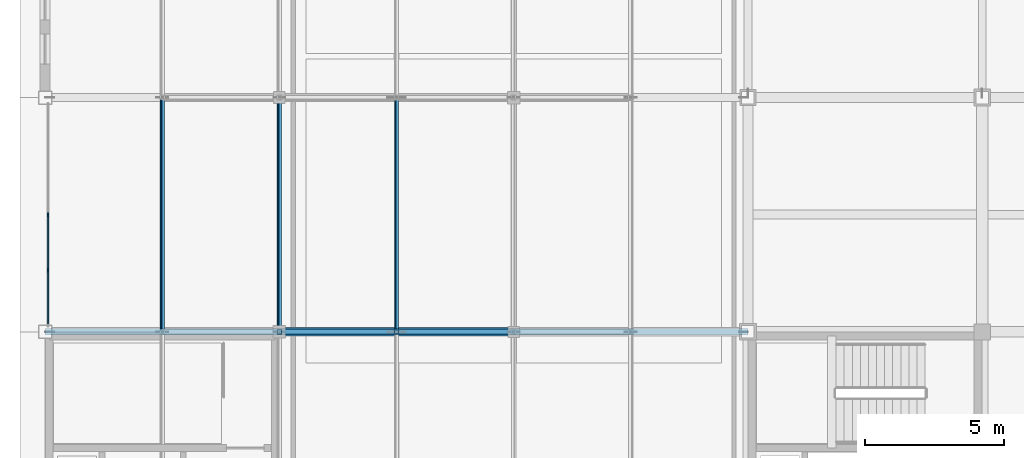
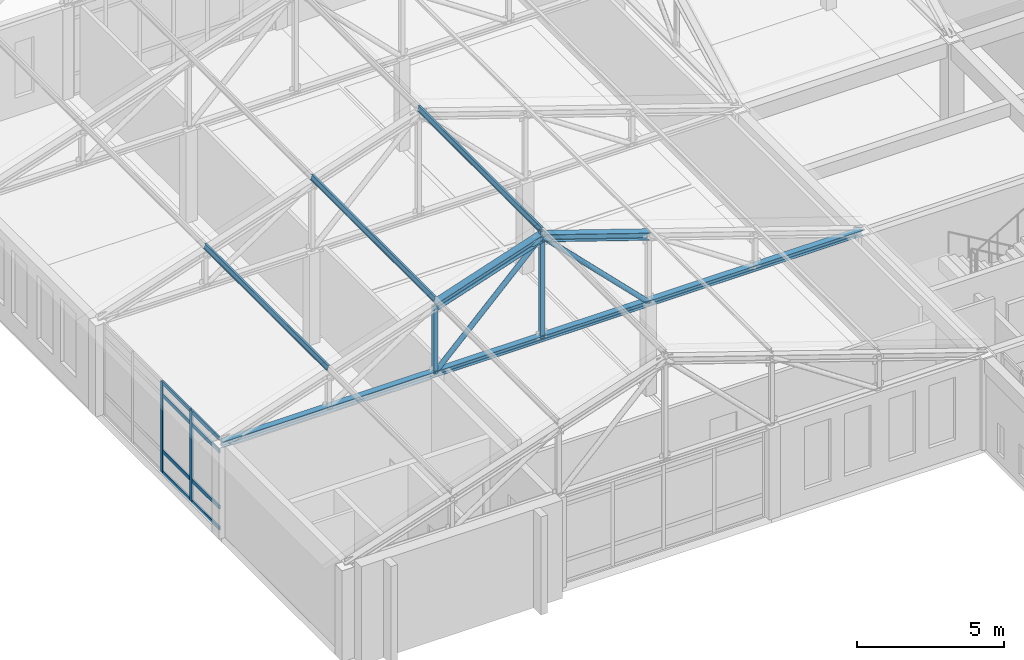
# One storey, part 12 of 56: 20 members, 1 element without a shape of its own.
"""IFC4 building model written with IfcOpenShell, lengths in metres."""

import ifcopenshell
import ifcopenshell.guid

model = None  # the IFC model being written
_history = None  # IfcOwnerHistory: only IFC2X3 demands one
_inside = {}  # id of a spatial element -> (the spatial element, [elements in it])
_under = {}  # id of a project, library or spatial element -> (it, [spatial elements below it])
_declared = {}  # id of a project -> (the project, [libraries it declares])
_typed = {}  # id of a type object -> (the type object, [elements of that type])
_made_of = {}  # id of a material, layer set ... -> (it, [elements and type objects made of it])


def new_model(schema):
    """Start an empty IFC model of exactly this schema.

    Asked for "IFC4X3", IfcOpenShell would pick the latest addendum, in which some entities
    have other attributes; the version numbers below select the first issue.
    IFC2X3 requires an IfcOwnerHistory on every rooted entity: one is made here for all.
    """
    global model, _history
    if schema == "IFC4X3":
        model = ifcopenshell.file(schema_version=(4, 3, 0, 0))
    else:
        model = ifcopenshell.file(schema=schema)
    _inside.clear()
    _under.clear()
    _declared.clear()
    _typed.clear()
    _made_of.clear()
    _history = None
    if model.schema == "IFC2X3":
        org = make("IfcOrganization", Name="unknown")
        user = make(
            "IfcPersonAndOrganization",
            ThePerson=make("IfcPerson", FamilyName="unknown"),
            TheOrganization=org,
        )
        app = make(
            "IfcApplication",
            ApplicationDeveloper=org,
            Version="unknown",
            ApplicationFullName="unknown",
            ApplicationIdentifier="unknown",
        )
        _history = make(
            "IfcOwnerHistory",
            OwningUser=user,
            OwningApplication=app,
            ChangeAction="ADDED",
            CreationDate=0,
        )
    return model


def make(cls, **values):
    """One entity of the class cls with the attributes given. An attribute that is None is left unset."""
    return model.create_entity(
        cls, **{name: value for name, value in values.items() if value is not None}
    )


def rooted(cls, **values):
    """An entity with a GlobalId (a new one), such as an element, a storey or a relation."""
    return make(cls, GlobalId=ifcopenshell.guid.new(), OwnerHistory=_history, **values)


def si_unit(unit_type, name, prefix=None):
    """IfcSIUnit, for example si_unit("LENGTHUNIT", "METRE", prefix="MILLI")."""
    return make("IfcSIUnit", UnitType=unit_type, Prefix=prefix, Name=name)


def assignment(units):
    """IfcUnitAssignment: the units of a project."""
    return None if units is None else make("IfcUnitAssignment", Units=units)


def point(xyz):
    """IfcCartesianPoint."""
    return None if xyz is None else make("IfcCartesianPoint", Coordinates=xyz)


def direction(xyz):
    """IfcDirection."""
    return None if xyz is None else make("IfcDirection", DirectionRatios=xyz)


def frame(location, z_axis=None, x_axis=None):
    """IfcAxis2Placement3D, a coordinate frame: its origin and axes. An axis left out is left unset."""
    return make(
        "IfcAxis2Placement3D",
        Location=point(location),
        Axis=direction(z_axis),
        RefDirection=direction(x_axis),
    )


def frame_2d(location, x_axis=None):
    """IfcAxis2Placement2D, a coordinate frame in the plane: its origin and x axis."""
    return make(
        "IfcAxis2Placement2D", Location=point(location), RefDirection=direction(x_axis)
    )


def origin():
    """The frame at (0, 0, 0) with its axes left unset."""
    return frame((0.0, 0.0, 0.0))


def origin_2d():
    """The frame at (0, 0) in the plane with its x axis left unset."""
    return frame_2d((0.0, 0.0))


def place(relative_to, where):
    """IfcLocalPlacement: puts the frame where relative to a parent placement (None: the world)."""
    return make(
        "IfcLocalPlacement", PlacementRelTo=relative_to, RelativePlacement=where
    )


def context(
    kind, dimensions, precision=None, world=None, true_north=None, identifier=None
):
    """IfcGeometricRepresentationContext, for example the 3D "Model" context."""
    return make(
        "IfcGeometricRepresentationContext",
        ContextIdentifier=identifier,
        ContextType=kind,
        CoordinateSpaceDimension=dimensions,
        Precision=precision,
        WorldCoordinateSystem=world,
        TrueNorth=true_north,
    )


def subcontext(parent, identifier, kind, view, scale=None):
    """IfcGeometricRepresentationSubContext, for example "Body" below "Model"."""
    return make(
        "IfcGeometricRepresentationSubContext",
        ContextIdentifier=identifier,
        ContextType=kind,
        ParentContext=parent,
        TargetScale=scale,
        TargetView=view,
    )


def project(units=None, contexts=None):
    """IfcProject with its units and contexts."""
    return rooted(
        "IfcProject",
        Name="project",
        RepresentationContexts=contexts,
        UnitsInContext=assignment(units),
    )


def spatial(cls, under=None, at=None, **own):
    """A site, building, storey or space (cls), placed at a placement, below another one or the project."""
    s = rooted(cls, ObjectPlacement=at, **own)
    if under is not None:
        _under.setdefault(under.id(), (under, []))[1].append(s)
    return s


def profile(cls, at=None, kind="AREA", **sizes):
    """A parametric profile (cls). Its sizes go by their IFC names, for example OverallWidth=200.0."""
    return make(cls, ProfileType=kind, Position=at, **sizes)


def rectangle(**sizes):
    """IfcRectangleProfileDef."""
    return profile("IfcRectangleProfileDef", **sizes)


def hollow_rectangle(**sizes):
    """IfcRectangleHollowProfileDef."""
    return profile("IfcRectangleHollowProfileDef", **sizes)


def hollow_circle(**sizes):
    """IfcCircleHollowProfileDef."""
    return profile("IfcCircleHollowProfileDef", **sizes)


def i_section(**sizes):
    """IfcIShapeProfileDef."""
    return profile("IfcIShapeProfileDef", **sizes)


def extrude(swept, where, along, depth):
    """IfcExtrudedAreaSolid: the profile swept, set in the frame where, extruded along a direction by depth."""
    return make(
        "IfcExtrudedAreaSolid",
        SweptArea=swept,
        Position=where,
        ExtrudedDirection=direction(along),
        Depth=depth,
    )


def shape(context_of_items, identifier, shape_type, items):
    """IfcShapeRepresentation: the items that make up one representation, for example the "Body"."""
    return make(
        "IfcShapeRepresentation",
        ContextOfItems=context_of_items,
        RepresentationIdentifier=identifier,
        RepresentationType=shape_type,
        Items=items,
    )


def material(Name=None, Category=None):
    """IfcMaterial."""
    return make("IfcMaterial", Name=Name, Category=Category)


def layer(
    of_material, thickness, ventilated=None, Name=None, Category=None, Priority=None
):
    """IfcMaterialLayer: one layer of a wall or slab, of a material (None: an air gap)."""
    return make(
        "IfcMaterialLayer",
        Material=of_material,
        LayerThickness=thickness,
        IsVentilated=ventilated,
        Name=Name,
        Category=Category,
        Priority=Priority,
    )


def layer_set(layers, Name=None):
    """IfcMaterialLayerSet."""
    return make("IfcMaterialLayerSet", MaterialLayers=layers, LayerSetName=Name)


def material_profile(
    of_material, cross_section, Name=None, Category=None, Priority=None
):
    """IfcMaterialProfile: a cross section and its material."""
    return make(
        "IfcMaterialProfile",
        Name=Name,
        Material=of_material,
        Profile=cross_section,
        Priority=Priority,
        Category=Category,
    )


def profile_set(profiles, Name=None, composite=None):
    """IfcMaterialProfileSet."""
    return make(
        "IfcMaterialProfileSet",
        Name=Name,
        MaterialProfiles=profiles,
        CompositeProfile=composite,
    )


def made_of(thing, what):
    """Note that an element or type object is made of a material, layer set ...; save() writes the relation."""
    if what is not None:
        _made_of.setdefault(what.id(), (what, []))[1].append(thing)
    return thing


def type_object(cls, material=None, **own):
    """A type object (cls), such as IfcWallType, which elements share."""
    return made_of(rooted(cls, **own), material)


def element(
    cls,
    number,
    at=None,
    inside=None,
    cuts=None,
    type_object=None,
    material=None,
    context=None,
    identifier="Body",
    shape_type=None,
    held_by="IfcProductDefinitionShape",
    body=None,
    shapes=None,
    **own,
):
    """One element of the class cls, such as IfcWall. Its Tag is "e" and its number.

    at: its placement. inside: the storey or other place that contains it. cuts: it is an
    opening in that element (IfcRelVoidsElement). A single representation is given by context,
    identifier, shape_type and body (its items); several are given by shapes. held_by: the class
    of the entity that holds the representations. save() writes the other relations.
    """
    e = rooted(cls, Tag="e%d" % number, ObjectPlacement=at, **own)
    if body is not None:
        shapes = [shape(context, identifier, shape_type, body)]
    if shapes is not None:
        e.Representation = make(held_by, Representations=shapes)
    if inside is not None:
        _inside.setdefault(inside.id(), (inside, []))[1].append(e)
    if cuts is not None:
        rooted(
            "IfcRelVoidsElement", RelatingBuildingElement=cuts, RelatedOpeningElement=e
        )
    if type_object is not None:
        _typed.setdefault(type_object.id(), (type_object, []))[1].append(e)
    return made_of(e, material)


def aggregate(whole, parts):
    """IfcRelAggregates: a whole, such as a stair, and the parts it consists of."""
    return rooted("IfcRelAggregates", RelatingObject=whole, RelatedObjects=parts)


def save(model, path):
    """Write the relations noted so far, then the file.

    IfcRelAggregates (storeys below a building ...), IfcRelContainedInSpatialStructure (elements
    in a storey), IfcRelDefinesByType, IfcRelAssociatesMaterial and IfcRelDeclares: one each for
    every whole, place, type object, material and project.
    """
    for whole, parts in _under.values():
        aggregate(whole, parts)
    for where, things in _inside.values():
        rooted(
            "IfcRelContainedInSpatialStructure",
            RelatedElements=things,
            RelatingStructure=where,
        )
    for kind, things in _typed.values():
        rooted("IfcRelDefinesByType", RelatedObjects=things, RelatingType=kind)
    for what, things in _made_of.values():
        rooted("IfcRelAssociatesMaterial", RelatedObjects=things, RelatingMaterial=what)
    for by, libraries in _declared.values():
        rooted("IfcRelDeclares", RelatingContext=by, RelatedDefinitions=libraries)
    model.write(path)


model = new_model("IFC4")

# Units and contexts
model_context = context("Model", 3, precision=1e-05, world=origin(), true_north=direction((0.0, 1.0)))
body_context = subcontext(model_context, "Body", "Model", "MODEL_VIEW")
ifc_project = project(units=[si_unit("LENGTHUNIT", "METRE"), si_unit("AREAUNIT", "SQUARE_METRE"), si_unit("VOLUMEUNIT", "CUBIC_METRE"), si_unit("PLANEANGLEUNIT", "RADIAN"), si_unit("MASSUNIT", "GRAM", prefix="KILO")], contexts=[model_context])

# Site, building, storey
site_placement = place(None, origin())
site = spatial("IfcSite", under=ifc_project, at=site_placement, CompositionType="ELEMENT")
building_placement = place(site_placement, origin())
building = spatial("IfcBuilding", under=site, at=building_placement, Name="Kveldsbrygga Polytechnic", CompositionType="ELEMENT")
storey_placement = place(building_placement, frame((0.0, 0.0, 18.02001953125)))
storey = spatial("IfcBuildingStorey", under=building, at=storey_placement, Name="L04", CompositionType="ELEMENT", Elevation=18.02001953125)

# Curtain wall, members
ifc_material_1 = material(Name="Anodised aluminium AW-6060", Category="aluminium")
ifc_layer = layer(ifc_material_1, 0.199951171875)
ifc_layer_set = layer_set([ifc_layer], Name="Anodised aluminium AW-6060")
curtain_wall_type = type_object("IfcCurtainWallType", Name="CW-LANC-E", PredefinedType="USERDEFINED", material=ifc_layer_set)
curtain_wall_placement = place(storey_placement, origin())
curtain_wall = element("IfcCurtainWall", 1, at=curtain_wall_placement, inside=storey, type_object=curtain_wall_type, Name="Curtain Wall CW-L04-Y-12-11", ObjectType="UNITISED CURTAIN WALL", PredefinedType="USERDEFINED")
ifc_material_profile_1 = material_profile(ifc_material_1, rectangle(XDim=0.06005859375, YDim=0.139892578125, at=origin_2d()), Name="ALU 60x140")
ifc_profile_set_1 = profile_set([ifc_material_profile_1], Name="Anodised aluminium AW-6060")
member_type_1 = type_object("IfcMemberType", Name="CW-MUL-140", PredefinedType="MULLION", material=ifc_profile_set_1)
member_1_placement = place(storey_placement, frame((100.89990234375, 94.612548828125, 0.0), z_axis=(0.0, 0.0, 1.0), x_axis=(-1.0, 0.0, 0.0)))
member_1 = element("IfcMember", 2, at=member_1_placement, type_object=member_type_1, Name="CW-05 mullion 2", PredefinedType="MULLION", context=body_context, shape_type="SweptSolid", body=[
    extrude(rectangle(XDim=0.06005859375, YDim=0.139892578125, at=origin_2d()), origin(), (0.0, 0.0, 1.0), 3.780029296875),
])
member_2_placement = place(storey_placement, frame((100.89990234375, 96.60009765625, 0.0), z_axis=(0.0, 0.0, 1.0), x_axis=(-1.0, 0.0, 0.0)))
member_2 = element("IfcMember", 3, at=member_2_placement, type_object=member_type_1, Name="CW-05 mullion 3", PredefinedType="MULLION", context=body_context, shape_type="SweptSolid", body=[
    extrude(rectangle(XDim=0.06005859375, YDim=0.139892578125, at=origin_2d()), origin(), (0.0, 0.0, 1.0), 3.780029296875),
])
ifc_material_profile_2 = material_profile(ifc_material_1, rectangle(XDim=0.06005859375, YDim=0.14990234375, at=origin_2d()), Name="ALU 60x150")
ifc_profile_set_2 = profile_set([ifc_material_profile_2], Name="Anodised aluminium AW-6060")
member_type_2 = type_object("IfcMemberType", Name="CW-TRN-150", PredefinedType="USERDEFINED", material=ifc_profile_set_2)
member_3_placement = place(storey_placement, frame((100.89990234375, 92.68505859375, 0.030029296875), z_axis=(0.0, 1.0, 0.0), x_axis=(-1.0, 0.0, 0.0)))
member_3 = element("IfcMember", 4, at=member_3_placement, type_object=member_type_2, Name="CW-05 transom 1.1", ObjectType="TRANSOM", PredefinedType="USERDEFINED", context=body_context, shape_type="SweptSolid", body=[
    extrude(rectangle(XDim=0.06005859375, YDim=0.14990234375, at=origin_2d()), origin(), (0.0, 0.0, 1.0), 1.8974609375),
])
member_4_placement = place(storey_placement, frame((100.89990234375, 92.68505859375, 0.89990234375), z_axis=(0.0, 1.0, 0.0), x_axis=(-1.0, 0.0, 0.0)))
member_4 = element("IfcMember", 5, at=member_4_placement, type_object=member_type_2, Name="CW-05 transom 1.2", ObjectType="TRANSOM", PredefinedType="USERDEFINED", context=body_context, shape_type="SweptSolid", body=[
    extrude(rectangle(XDim=0.06005859375, YDim=0.14990234375, at=origin_2d()), origin(), (0.0, 0.0, 1.0), 1.8974609375),
])
member_5_placement = place(storey_placement, frame((100.89990234375, 92.68505859375, 3.22998046875), z_axis=(0.0, 1.0, 0.0), x_axis=(-1.0, 0.0, 0.0)))
member_5 = element("IfcMember", 6, at=member_5_placement, type_object=member_type_2, Name="CW-05 transom 1.3", ObjectType="TRANSOM", PredefinedType="USERDEFINED", context=body_context, shape_type="SweptSolid", body=[
    extrude(rectangle(XDim=0.06005859375, YDim=0.14990234375, at=origin_2d()), origin(), (0.0, 0.0, 1.0), 1.8974609375),
])
member_6_placement = place(storey_placement, frame((100.89990234375, 92.68505859375, 3.75), z_axis=(0.0, 1.0, 0.0), x_axis=(-1.0, 0.0, 0.0)))
member_6 = element("IfcMember", 7, at=member_6_placement, type_object=member_type_2, Name="CW-05 transom 1.4", ObjectType="TRANSOM", PredefinedType="USERDEFINED", context=body_context, shape_type="SweptSolid", body=[
    extrude(rectangle(XDim=0.06005859375, YDim=0.14990234375, at=origin_2d()), origin(), (0.0, 0.0, 1.0), 1.8974609375),
])
member_7_placement = place(storey_placement, frame((100.89990234375, 94.642578125, 0.030029296875), z_axis=(0.0, 1.0, 0.0), x_axis=(-1.0, 0.0, 0.0)))
member_7 = element("IfcMember", 8, at=member_7_placement, type_object=member_type_2, Name="CW-05 transom 2.1", ObjectType="TRANSOM", PredefinedType="USERDEFINED", context=body_context, shape_type="SweptSolid", body=[
    extrude(rectangle(XDim=0.06005859375, YDim=0.14990234375, at=origin_2d()), origin(), (0.0, 0.0, 1.0), 1.927490234375),
])
member_8_placement = place(storey_placement, frame((100.89990234375, 94.642578125, 0.89990234375), z_axis=(0.0, 1.0, 0.0), x_axis=(-1.0, 0.0, 0.0)))
member_8 = element("IfcMember", 9, at=member_8_placement, type_object=member_type_2, Name="CW-05 transom 2.2", ObjectType="TRANSOM", PredefinedType="USERDEFINED", context=body_context, shape_type="SweptSolid", body=[
    extrude(rectangle(XDim=0.06005859375, YDim=0.14990234375, at=origin_2d()), origin(), (0.0, 0.0, 1.0), 1.927490234375),
])
member_9_placement = place(storey_placement, frame((100.89990234375, 94.642578125, 3.22998046875), z_axis=(0.0, 1.0, 0.0), x_axis=(-1.0, 0.0, 0.0)))
member_9 = element("IfcMember", 10, at=member_9_placement, type_object=member_type_2, Name="CW-05 transom 2.3", ObjectType="TRANSOM", PredefinedType="USERDEFINED", context=body_context, shape_type="SweptSolid", body=[
    extrude(rectangle(XDim=0.06005859375, YDim=0.14990234375, at=origin_2d()), origin(), (0.0, 0.0, 1.0), 1.927490234375),
])
member_10_placement = place(storey_placement, frame((100.89990234375, 94.642578125, 3.75), z_axis=(0.0, 1.0, 0.0), x_axis=(-1.0, 0.0, 0.0)))
member_10 = element("IfcMember", 11, at=member_10_placement, type_object=member_type_2, Name="CW-05 transom 2.4", ObjectType="TRANSOM", PredefinedType="USERDEFINED", context=body_context, shape_type="SweptSolid", body=[
    extrude(rectangle(XDim=0.06005859375, YDim=0.14990234375, at=origin_2d()), origin(), (0.0, 0.0, 1.0), 1.927490234375),
])
aggregate(curtain_wall, [member_1, member_2, member_3, member_4, member_5, member_6, member_7, member_8, member_9, member_10])

# Members
ifc_material_2 = material(Name="Steel S355", Category="steel")
ifc_material_profile_3 = material_profile(ifc_material_2, i_section(OverallWidth=0.10009765625, OverallDepth=0.199951171875, WebThickness=0.005615234375, FlangeThickness=0.008544921875, FilletRadius=0.011962890625, at=origin_2d()), Name="IPE 200")
ifc_profile_set_3 = profile_set([ifc_material_profile_3], Name="Steel S355")
member_type_3 = type_object("IfcMemberType", Name="PRL-IPE200", PredefinedType="PURLIN", material=ifc_profile_set_3)
for number, where, z_axis, x_axis, name in (
    (12, (105.0, 92.39990234375, 5.438232421875), (0.0, 1.0, 0.0), (-0.948683567514, 0.0, 0.316226957624), "Roof Purlin V4NE5-PRL-2-1"),
    (13, (109.199951171875, 92.39990234375, 6.838134765625), (0.0, 1.0, 0.0), (-0.948683567514, 0.0, 0.316226957624), "Roof Purlin V4NE5-PRL-2-2"),
    (14, (113.39990234375, 92.39990234375, 8.23828125), (0.0, 1.0, 0.0), (-0.948683567514, 0.0, 0.316226957624), "Roof Purlin V4NE5-PRL-2-3"),
):
    element("IfcMember", number, at=place(storey_placement, frame(where, z_axis=z_axis, x_axis=x_axis)), inside=storey, type_object=member_type_3, Name=name, PredefinedType="PURLIN", context=body_context, shape_type="SweptSolid", body=[
        extrude(i_section(OverallWidth=0.10009765625, OverallDepth=0.199951171875, WebThickness=0.005615234375, FlangeThickness=0.008544921875, FilletRadius=0.011962890625, at=origin_2d()), origin(), (0.0, 0.0, 1.0), 8.400146484375),
    ])
ifc_material_profile_4 = material_profile(ifc_material_2, i_section(OverallWidth=0.239990234375, OverallDepth=0.22998046875, WebThickness=0.007568359375, FlangeThickness=0.011962890625, FilletRadius=0.02099609375, at=origin_2d()), Name="HEA 240")
ifc_profile_set_4 = profile_set([ifc_material_profile_4], Name="Steel S355")
member_type_4 = type_object("IfcMemberType", Name="TR-BOT-HEA240", PredefinedType="CHORD", material=ifc_profile_set_4)
member_11_placement = place(storey_placement, frame((100.800048828125, 92.39990234375, 3.780029296875), z_axis=(1.0, 0.0, 0.0), x_axis=(0.0, 1.0, 0.0)))
element("IfcMember", 15, at=member_11_placement, inside=storey, type_object=member_type_4, Name="Truss Bottom Chord V4NE5-T02-BC-1", PredefinedType="CHORD", context=body_context, shape_type="SweptSolid", body=[
    extrude(i_section(OverallWidth=0.239990234375, OverallDepth=0.22998046875, WebThickness=0.007568359375, FlangeThickness=0.011962890625, FilletRadius=0.02099609375, at=origin_2d()), origin(), (0.0, 0.0, 1.0), 25.199951171875),
])
ifc_material_profile_5 = material_profile(ifc_material_2, hollow_circle(Radius=0.096923828125, WallThickness=0.010009765625, at=origin_2d()), Name="CHS 193.7x10.0")
ifc_profile_set_5 = profile_set([ifc_material_profile_5], Name="Steel S355")
member_type_5 = type_object("IfcMemberType", Name="TR-DIAG-CHS194", PredefinedType="BRACE", material=ifc_profile_set_5)
for number, where, z_axis, x_axis, name in (
    (16, (109.199951171875, 92.39990234375, 3.780029296875), (0.707106781187, 0.0, 0.707106781187), (0.0, 1.0, 0.0), "Truss Diagonal V4NE5-T02-DG-3"),
    (17, (113.39990234375, 92.39990234375, 7.97998046875), (0.707127332136, 0.0, -0.70708622964), (0.0, 1.0, 0.0), "Truss Diagonal V4NE5-T02-DG-4"),
):
    element("IfcMember", number, at=place(storey_placement, frame(where, z_axis=z_axis, x_axis=x_axis)), inside=storey, type_object=member_type_5, Name=name, PredefinedType="BRACE", context=body_context, shape_type="SweptSolid", body=[
        extrude(hollow_circle(Radius=0.096923828125, WallThickness=0.010009765625, at=origin_2d()), origin(), (0.0, 0.0, 1.0), 5.939697265625),
    ])
ifc_material_profile_6 = material_profile(ifc_material_2, hollow_rectangle(XDim=0.159912109375, YDim=0.159912109375, WallThickness=0.010009765625, at=origin_2d()), Name="SHS 160x160x10.0")
ifc_profile_set_6 = profile_set([ifc_material_profile_6], Name="Steel S355")
member_type_6 = type_object("IfcMemberType", Name="TR-POST-SHS160", PredefinedType="STRUT", material=ifc_profile_set_6)
member_12_placement = place(storey_placement, frame((109.199951171875, 92.39990234375, 3.780029296875), z_axis=(0.0, 0.0, 1.0), x_axis=(1.0, 0.0, 0.0)))
element("IfcMember", 18, at=member_12_placement, inside=storey, type_object=member_type_6, Name="Truss Vertical V4NE5-T02-VT-2", PredefinedType="STRUT", context=body_context, shape_type="SweptSolid", body=[
    extrude(hollow_rectangle(XDim=0.159912109375, YDim=0.159912109375, WallThickness=0.010009765625, at=origin_2d()), origin(), (0.0, 0.0, 1.0), 2.800048828125),
])
member_13_placement = place(storey_placement, frame((113.39990234375, 92.39990234375, 3.780029296875), z_axis=(0.0, 0.0, 1.0), x_axis=(1.0, 0.0, 0.0)))
element("IfcMember", 19, at=member_13_placement, inside=storey, type_object=member_type_6, Name="Truss Vertical V4NE5-T02-VT-3", PredefinedType="STRUT", context=body_context, shape_type="SweptSolid", body=[
    extrude(hollow_rectangle(XDim=0.159912109375, YDim=0.159912109375, WallThickness=0.010009765625, at=origin_2d()), origin(), (0.0, 0.0, 1.0), 4.458251953125),
])
ifc_material_profile_7 = material_profile(ifc_material_2, i_section(OverallWidth=0.300048828125, OverallDepth=0.2900390625, WebThickness=0.008544921875, FlangeThickness=0.013916015625, FilletRadius=0.027099609375, at=origin_2d()), Name="HEA 300")
ifc_profile_set_7 = profile_set([ifc_material_profile_7], Name="Steel S355")
member_type_7 = type_object("IfcMemberType", Name="TR-TOP-HEA300", PredefinedType="CHORD", material=ifc_profile_set_7)
member_14_placement = place(storey_placement, frame((109.199951171875, 92.39990234375, 6.580078125), z_axis=(0.948688812577, 0.0, 0.316211221956), x_axis=(0.0, 1.0, 0.0)))
element("IfcMember", 20, at=member_14_placement, inside=storey, type_object=member_type_7, Name="Truss Top Chord V4NE5-T02-TC-3", PredefinedType="CHORD", context=body_context, shape_type="SweptSolid", body=[
    extrude(i_section(OverallWidth=0.300048828125, OverallDepth=0.2900390625, WebThickness=0.008544921875, FlangeThickness=0.013916015625, FilletRadius=0.027099609375, at=origin_2d()), origin(), (0.0, 0.0, 1.0), 4.427001953125),
])
member_15_placement = place(storey_placement, frame((113.39990234375, 92.39990234375, 7.97998046875), z_axis=(0.948694326238, 0.0, -0.316194679531), x_axis=(0.0, 1.0, 0.0)))
element("IfcMember", 21, at=member_15_placement, inside=storey, type_object=member_type_7, Name="Truss Top Chord V4NE5-T02-TC-4", PredefinedType="CHORD", context=body_context, shape_type="SweptSolid", body=[
    extrude(i_section(OverallWidth=0.300048828125, OverallDepth=0.2900390625, WebThickness=0.008544921875, FlangeThickness=0.013916015625, FilletRadius=0.027099609375, at=origin_2d()), origin(), (0.0, 0.0, 1.0), 4.42724609375),
])

save(model, "model.ifc")
